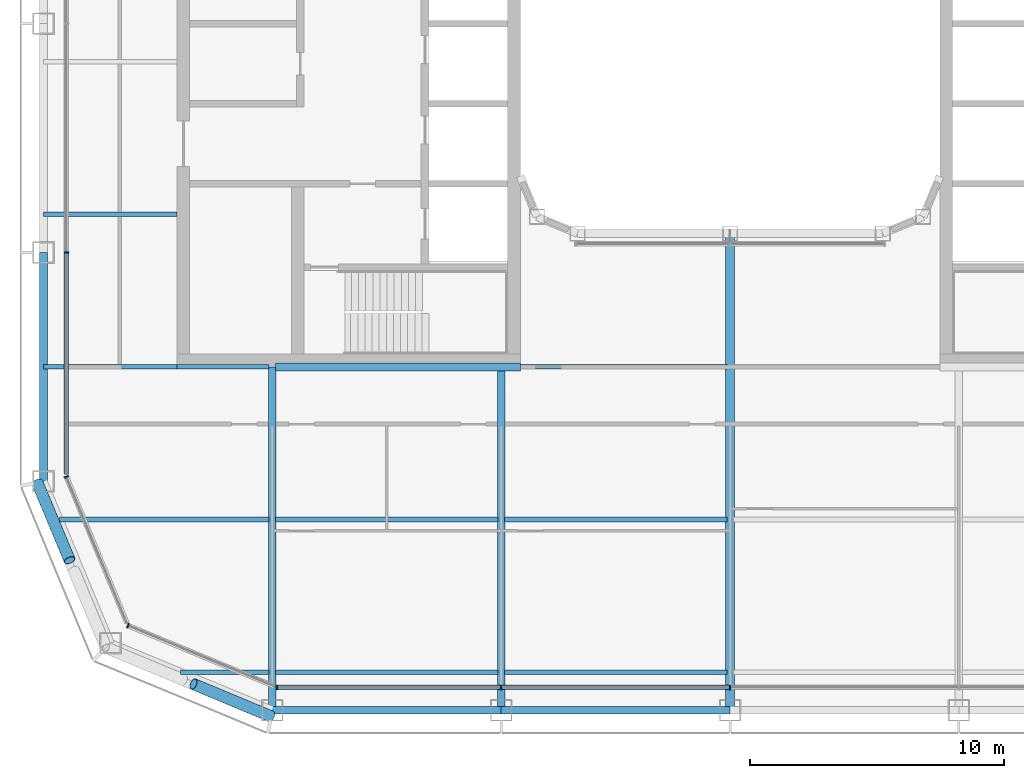
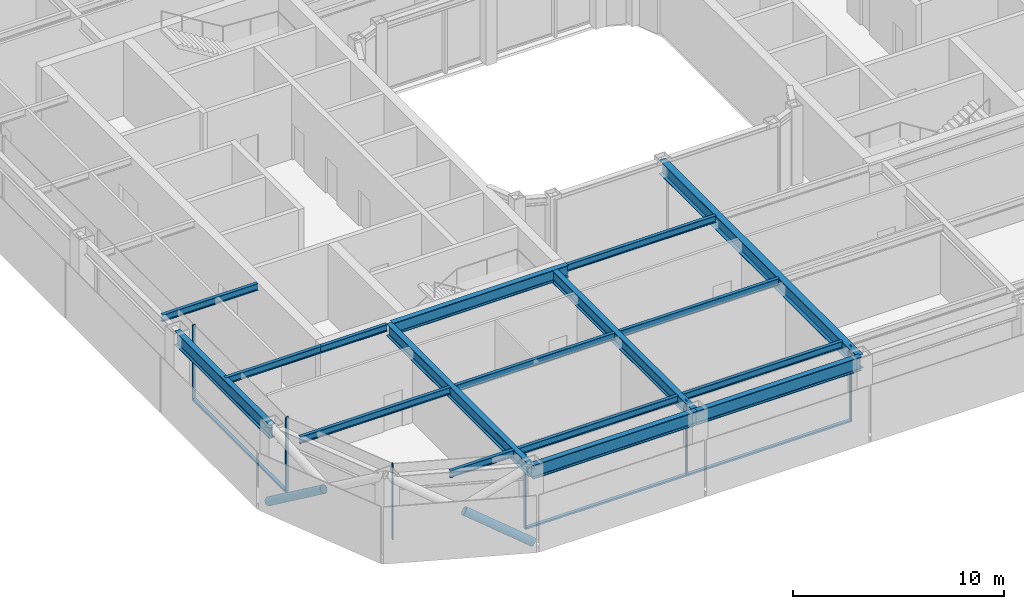
# One storey, part 2 of 19: 17 beams, 11 members, 4 elements without a shape of their own.
"""IFC4 building model written with IfcOpenShell, lengths in metres."""

from ifc_helpers import new_model, si_unit, direction, frame, origin, origin_2d, place, context, subcontext, project, spatial, rectangle, hollow_circle, i_section, extrude, material, layer, layer_set, material_profile, profile_set, type_object, element, aggregate, save


model = new_model("IFC4")

# Units and contexts
model_context = context("Model", 3, precision=1e-05, world=origin(), true_north=direction((0.0, 1.0)))
body_context = subcontext(model_context, "Body", "Model", "MODEL_VIEW")
ifc_project = project(units=[si_unit("LENGTHUNIT", "METRE"), si_unit("AREAUNIT", "SQUARE_METRE"), si_unit("VOLUMEUNIT", "CUBIC_METRE"), si_unit("PLANEANGLEUNIT", "RADIAN"), si_unit("MASSUNIT", "GRAM", prefix="KILO")], contexts=[model_context])

# Site, building, storey
site_placement = place(None, origin())
site = spatial("IfcSite", under=ifc_project, at=site_placement, CompositionType="ELEMENT")
building_placement = place(site_placement, origin())
building = spatial("IfcBuilding", under=site, at=building_placement, Name="Siwar Civic Tower", CompositionType="ELEMENT")
storey_placement = place(building_placement, frame((0.0, 0.0, 228.699951171875)))
storey = spatial("IfcBuildingStorey", under=building, at=storey_placement, Name="L49", CompositionType="ELEMENT", Elevation=228.699951171875)

# Curtain wall, members
ifc_material_1 = material(Name="Aluminium and glass", Category="aluminium")
ifc_layer_1 = layer(ifc_material_1, 0.179931640625)
ifc_layer_set_1 = layer_set([ifc_layer_1], Name="Aluminium and glass")
curtain_wall_type_1 = type_object("IfcCurtainWallType", Name="ENV-CW-C", PredefinedType="NOTDEFINED", material=ifc_layer_set_1)
curtain_wall_1_placement = place(storey_placement, origin())
curtain_wall_1 = element("IfcCurtainWall", 1, at=curtain_wall_1_placement, inside=storey, type_object=curtain_wall_type_1, Name="Curtain wall C S", PredefinedType="NOTDEFINED")
ifc_material_2 = material(Name="Aluminium 6063-T6", Category="aluminium")
ifc_material_profile_1 = material_profile(ifc_material_2, rectangle(XDim=0.179931640625, YDim=0.06005859375, at=origin_2d()), Name="AL 180x60")
ifc_profile_set_1 = profile_set([ifc_material_profile_1], Name="Aluminium 6063-T6")
member_type_1 = type_object("IfcMemberType", Name="ENV-MULLION-C", PredefinedType="MULLION", material=ifc_profile_set_1)
member_1_placement = place(storey_placement, frame((-17.821044921875, -26.10009765625, 0.0), z_axis=(0.0, 0.0, 1.0), x_axis=(0.0, 1.0, 0.0)))
member_1 = element("IfcMember", 2, at=member_1_placement, type_object=member_type_1, Name="Mullion C S 1", PredefinedType="MULLION", context=body_context, shape_type="SweptSolid", body=[
    extrude(rectangle(XDim=0.179931640625, YDim=0.06005859375, at=origin_2d()), origin(), (0.0, 0.0, 1.0), 4.35009765625),
])
member_2_placement = place(storey_placement, frame((-9.0, -26.10009765625, 0.0), z_axis=(0.0, 0.0, 1.0), x_axis=(0.0, 1.0, 0.0)))
member_2 = element("IfcMember", 3, at=member_2_placement, type_object=member_type_1, Name="Mullion C S 2", PredefinedType="MULLION", context=body_context, shape_type="SweptSolid", body=[
    extrude(rectangle(XDim=0.179931640625, YDim=0.06005859375, at=origin_2d()), origin(), (0.0, 0.0, 1.0), 4.35009765625),
])
member_3_placement = place(storey_placement, frame((0.0, -26.10009765625, 0.0), z_axis=(0.0, 0.0, 1.0), x_axis=(0.0, 1.0, 0.0)))
member_3 = element("IfcMember", 4, at=member_3_placement, type_object=member_type_1, Name="Mullion C S 3", PredefinedType="MULLION", context=body_context, shape_type="SweptSolid", body=[
    extrude(rectangle(XDim=0.179931640625, YDim=0.06005859375, at=origin_2d()), origin(), (0.0, 0.0, 1.0), 4.35009765625),
])

# Curtain wall, member
curtain_wall_2_placement = place(storey_placement, origin())
curtain_wall_2 = element("IfcCurtainWall", 5, at=curtain_wall_2_placement, inside=storey, type_object=curtain_wall_type_1, Name="Curtain wall C W", PredefinedType="NOTDEFINED")
member_4_placement = place(storey_placement, frame((-26.10009765625, -9.0, 0.0), z_axis=(0.0, 0.0, 1.0), x_axis=(1.0, 0.0, 0.0)))
member_4 = element("IfcMember", 6, at=member_4_placement, type_object=member_type_1, Name="Mullion C W 4", PredefinedType="MULLION", context=body_context, shape_type="SweptSolid", body=[
    extrude(rectangle(XDim=0.179931640625, YDim=0.06005859375, at=origin_2d()), origin(), (0.0, 0.0, 1.0), 4.35009765625),
])

ifc_material_3 = material(Name="Aluminium clad insulated panel", Category="aluminium")
ifc_layer_2 = layer(ifc_material_3, 0.179931640625)
ifc_layer_set_2 = layer_set([ifc_layer_2], Name="Aluminium clad insulated panel")
curtain_wall_type_2 = type_object("IfcCurtainWallType", Name="ENV-CW-CX", PredefinedType="NOTDEFINED", material=ifc_layer_set_2)
curtain_wall_3_placement = place(storey_placement, origin())
curtain_wall_3 = element("IfcCurtainWall", 7, at=curtain_wall_3_placement, inside=storey, type_object=curtain_wall_type_2, Name="Curtain wall C SW1", PredefinedType="NOTDEFINED")
member_5_placement = place(storey_placement, frame((-26.10009765625, -17.821044921875, 0.0), z_axis=(0.0, 0.0, 1.0), x_axis=(0.923879532511, 0.382683432365, 0.0)))
member_5 = element("IfcMember", 8, at=member_5_placement, type_object=member_type_1, Name="Mullion C SW1 1", PredefinedType="MULLION", context=body_context, shape_type="SweptSolid", body=[
    extrude(rectangle(XDim=0.179931640625, YDim=0.06005859375, at=origin_2d()), origin(), (0.0, 0.0, 1.0), 4.35009765625),
])
aggregate(curtain_wall_3, [member_5])

curtain_wall_4_placement = place(storey_placement, origin())
curtain_wall_4 = element("IfcCurtainWall", 9, at=curtain_wall_4_placement, inside=storey, type_object=curtain_wall_type_2, Name="Curtain wall C SW2", PredefinedType="NOTDEFINED")
member_6_placement = place(storey_placement, frame((-23.675048828125, -23.675048828125, 0.0), z_axis=(0.0, 0.0, 1.0), x_axis=(0.382683432365, 0.923879532511, 0.0)))
member_6 = element("IfcMember", 10, at=member_6_placement, type_object=member_type_1, Name="Mullion C SW2 1", PredefinedType="MULLION", context=body_context, shape_type="SweptSolid", body=[
    extrude(rectangle(XDim=0.179931640625, YDim=0.06005859375, at=origin_2d()), origin(), (0.0, 0.0, 1.0), 4.35009765625),
])
aggregate(curtain_wall_4, [member_6])

# Member
ifc_material_4 = material(Name="Aluminium 6063-T6", Category="aluminium")
ifc_material_profile_2 = material_profile(ifc_material_4, rectangle(XDim=0.179931640625, YDim=0.10009765625, at=origin_2d()), Name="AL 180x100")
ifc_profile_set_2 = profile_set([ifc_material_profile_2], Name="Aluminium 6063-T6")
member_type_2 = type_object("IfcMemberType", Name="ENV-TRANSOM-C", PredefinedType="USERDEFINED", material=ifc_profile_set_2)
member_7_placement = place(storey_placement, frame((-17.791015625, -26.10009765625, 0.050048828125), z_axis=(1.0, 0.0, 0.0), x_axis=(0.0, 1.0, 0.0)))
member_7 = element("IfcMember", 11, at=member_7_placement, type_object=member_type_2, Name="Transom C S 1", ObjectType="TRANSOM", PredefinedType="USERDEFINED", context=body_context, shape_type="SweptSolid", body=[
    extrude(rectangle(XDim=0.179931640625, YDim=0.10009765625, at=origin_2d()), origin(), (0.0, 0.0, 1.0), 8.760986328125),
])

member_8_placement = place(storey_placement, frame((-8.969970703125, -26.10009765625, 0.050048828125), z_axis=(1.0, 0.0, 0.0), x_axis=(0.0, 1.0, 0.0)))
member_8 = element("IfcMember", 12, at=member_8_placement, type_object=member_type_2, Name="Transom C S 2", ObjectType="TRANSOM", PredefinedType="USERDEFINED", context=body_context, shape_type="SweptSolid", body=[
    extrude(rectangle(XDim=0.179931640625, YDim=0.10009765625, at=origin_2d()), origin(), (0.0, 0.0, 1.0), 8.93994140625),
])

aggregate(curtain_wall_1, [member_1, member_2, member_3, member_7, member_8])

member_9_placement = place(storey_placement, frame((-26.10009765625, -9.030029296875, 0.050048828125), z_axis=(0.0, -1.0, 0.0), x_axis=(1.0, 0.0, 0.0)))
member_9 = element("IfcMember", 13, at=member_9_placement, type_object=member_type_2, Name="Transom C W 4", ObjectType="TRANSOM", PredefinedType="USERDEFINED", context=body_context, shape_type="SweptSolid", body=[
    extrude(rectangle(XDim=0.179931640625, YDim=0.10009765625, at=origin_2d()), origin(), (0.0, 0.0, 1.0), 8.68603515625),
])

aggregate(curtain_wall_2, [member_4, member_9])

# Members
ifc_material_5 = material(Name="Steel S355", Category="steel")
ifc_material_profile_3 = material_profile(ifc_material_5, hollow_circle(Radius=0.228515625, WallThickness=0.02001953125, at=origin_2d()), Name="CHS457x20")
ifc_profile_set_3 = profile_set([ifc_material_profile_3], Name="Steel S355")
member_type_3 = type_object("IfcMemberType", Name="STR-BR-CHS457x20", PredefinedType="BRACE", material=ifc_profile_set_3)
for number, where, z_axis, x_axis, name in (
    (14, (-18.048828125, -27.2451171875, 0.0), (-0.777546448489, 0.323884455881, 0.538999424564), (-0.38452107079, -0.92311621485, 0.0), "L49/brc/CSW1-9-0-2"),
    (15, (-27.2451171875, -18.048828125, 0.0), (0.323884455881, -0.777546448489, 0.538999424564), (0.92311621485, 0.38452107079, 0.0), "L49/brc/CSW1-9-0-4"),
):
    element("IfcMember", number, at=place(storey_placement, frame(where, z_axis=z_axis, x_axis=x_axis)), inside=storey, type_object=member_type_3, Name=name, PredefinedType="BRACE", context=body_context, shape_type="SweptSolid", body=[
        extrude(hollow_circle(Radius=0.228515625, WallThickness=0.02001953125, at=origin_2d()), origin(), (0.0, 0.0, 1.0), 3.927978515625),
    ])

# Beams
ifc_material_6 = material(Name="Steel S355", Category="steel")
ifc_material_profile_4 = material_profile(ifc_material_6, i_section(OverallWidth=0.179931640625, OverallDepth=0.39990234375, WebThickness=0.008544921875, FlangeThickness=0.013427734375, FilletRadius=0.02099609375, at=origin_2d()), Name="IPE400")
ifc_profile_set_4 = profile_set([ifc_material_profile_4], Name="Steel S355")
beam_type_1 = type_object("IfcBeamType", Name="STR-FB-IPE400", PredefinedType="JOIST", material=ifc_profile_set_4)
beam_1_placement = place(storey_placement, frame((-21.621337890625, -25.5, 4.150146484375), z_axis=(1.0, 0.0, 0.0), x_axis=(0.0, 1.0, 0.0)))
element("IfcBeam", 16, at=beam_1_placement, inside=storey, type_object=beam_type_1, Name="L49/bm/F001", PredefinedType="JOIST", context=body_context, shape_type="SweptSolid", body=[
    extrude(i_section(OverallWidth=0.179931640625, OverallDepth=0.39990234375, WebThickness=0.008544921875, FlangeThickness=0.013427734375, FilletRadius=0.02099609375, at=origin_2d()), origin(), (0.0, 0.0, 1.0), 3.491455078125),
])
for number, where, z_axis, x_axis, name in (
    (17, (-17.8701171875, -25.5, 4.150146484375), (1.0, 0.0, 0.0), (0.0, 1.0, 0.0), "L49/bm/F002"),
    (18, (-8.8701171875, -25.5, 4.150146484375), (1.0, 0.0, 0.0), (0.0, 1.0, 0.0), "L49/bm/F003"),
):
    element("IfcBeam", number, at=place(storey_placement, frame(where, z_axis=z_axis, x_axis=x_axis)), inside=storey, type_object=beam_type_1, Name=name, PredefinedType="JOIST", context=body_context, shape_type="SweptSolid", body=[
        extrude(i_section(OverallWidth=0.179931640625, OverallDepth=0.39990234375, WebThickness=0.008544921875, FlangeThickness=0.013427734375, FilletRadius=0.02099609375, at=origin_2d()), origin(), (0.0, 0.0, 1.0), 8.740234375),
    ])
beam_2_placement = place(storey_placement, frame((-26.378662109375, -19.5, 4.150146484375), z_axis=(1.0, 0.0, 0.0), x_axis=(0.0, 1.0, 0.0)))
element("IfcBeam", 19, at=beam_2_placement, inside=storey, type_object=beam_type_1, Name="L49/bm/F007", PredefinedType="JOIST", context=body_context, shape_type="SweptSolid", body=[
    extrude(i_section(OverallWidth=0.179931640625, OverallDepth=0.39990234375, WebThickness=0.008544921875, FlangeThickness=0.013427734375, FilletRadius=0.02099609375, at=origin_2d()), origin(), (0.0, 0.0, 1.0), 8.248779296875),
])
for number, where, z_axis, x_axis, name in (
    (20, (-17.8701171875, -19.5, 4.150146484375), (1.0, 0.0, 0.0), (0.0, 1.0, 0.0), "L49/bm/F008"),
    (21, (-8.8701171875, -19.5, 4.150146484375), (1.0, 0.0, 0.0), (0.0, 1.0, 0.0), "L49/bm/F009"),
):
    element("IfcBeam", number, at=place(storey_placement, frame(where, z_axis=z_axis, x_axis=x_axis)), inside=storey, type_object=beam_type_1, Name=name, PredefinedType="JOIST", context=body_context, shape_type="SweptSolid", body=[
        extrude(i_section(OverallWidth=0.179931640625, OverallDepth=0.39990234375, WebThickness=0.008544921875, FlangeThickness=0.013427734375, FilletRadius=0.02099609375, at=origin_2d()), origin(), (0.0, 0.0, 1.0), 8.740234375),
    ])
beam_3_placement = place(storey_placement, frame((-27.0, -13.5, 4.150146484375), z_axis=(1.0, 0.0, 0.0), x_axis=(0.0, 1.0, 0.0)))
element("IfcBeam", 22, at=beam_3_placement, inside=storey, type_object=beam_type_1, Name="L49/bm/F013", PredefinedType="JOIST", context=body_context, shape_type="SweptSolid", body=[
    extrude(i_section(OverallWidth=0.179931640625, OverallDepth=0.39990234375, WebThickness=0.008544921875, FlangeThickness=0.013427734375, FilletRadius=0.02099609375, at=origin_2d()), origin(), (0.0, 0.0, 1.0), 5.25),
])
beam_4_placement = place(storey_placement, frame((-21.75, -13.5, 4.150146484375), z_axis=(1.0, 0.0, 0.0), x_axis=(0.0, 1.0, 0.0)))
element("IfcBeam", 23, at=beam_4_placement, inside=storey, type_object=beam_type_1, Name="L49/bm/F014", PredefinedType="JOIST", context=body_context, shape_type="SweptSolid", body=[
    extrude(i_section(OverallWidth=0.179931640625, OverallDepth=0.39990234375, WebThickness=0.008544921875, FlangeThickness=0.013427734375, FilletRadius=0.02099609375, at=origin_2d()), origin(), (0.0, 0.0, 1.0), 3.6201171875),
])
beam_5_placement = place(storey_placement, frame((-8.25, -13.5, 4.150146484375), z_axis=(1.0, 0.0, 0.0), x_axis=(0.0, 1.0, 0.0)))
element("IfcBeam", 24, at=beam_5_placement, inside=storey, type_object=beam_type_1, Name="L49/bm/F016", PredefinedType="JOIST", context=body_context, shape_type="SweptSolid", body=[
    extrude(i_section(OverallWidth=0.179931640625, OverallDepth=0.39990234375, WebThickness=0.008544921875, FlangeThickness=0.013427734375, FilletRadius=0.02099609375, at=origin_2d()), origin(), (0.0, 0.0, 1.0), 8.1201171875),
])
beam_6_placement = place(storey_placement, frame((-27.0, -7.5, 4.150146484375), z_axis=(1.0, 0.0, 0.0), x_axis=(0.0, 1.0, 0.0)))
element("IfcBeam", 25, at=beam_6_placement, inside=storey, type_object=beam_type_1, Name="L49/bm/F021", PredefinedType="JOIST", context=body_context, shape_type="SweptSolid", body=[
    extrude(i_section(OverallWidth=0.179931640625, OverallDepth=0.39990234375, WebThickness=0.008544921875, FlangeThickness=0.013427734375, FilletRadius=0.02099609375, at=origin_2d()), origin(), (0.0, 0.0, 1.0), 5.25),
])
ifc_material_7 = material(Name="Steel S355", Category="steel")
ifc_material_profile_5 = material_profile(ifc_material_7, i_section(OverallWidth=0.300048828125, OverallDepth=0.699951171875, WebThickness=0.01708984375, FlangeThickness=0.031982421875, FilletRadius=0.027099609375, at=origin_2d()), Name="HEB700")
ifc_profile_set_5 = profile_set([ifc_material_profile_5], Name="Steel S355")
beam_type_2 = type_object("IfcBeamType", Name="STR-PG-HEB700", PredefinedType="BEAM", material=ifc_profile_set_5)
for number, where, z_axis, x_axis, name in (
    (26, (-18.0, -27.0, 4.0), (0.0, 1.0, 0.0), (-1.0, 0.0, 0.0), "L49/bm/G01"),
    (27, (-9.0, -27.0, 4.0), (0.0, 1.0, 0.0), (-1.0, 0.0, 0.0), "L49/bm/G03"),
):
    element("IfcBeam", number, at=place(storey_placement, frame(where, z_axis=z_axis, x_axis=x_axis)), inside=storey, type_object=beam_type_2, Name=name, PredefinedType="BEAM", context=body_context, shape_type="SweptSolid", body=[
        extrude(i_section(OverallWidth=0.300048828125, OverallDepth=0.699951171875, WebThickness=0.01708984375, FlangeThickness=0.031982421875, FilletRadius=0.027099609375, at=origin_2d()), origin(), (0.0, 0.0, 1.0), 13.5),
    ])
beam_7_placement = place(storey_placement, frame((-17.8701171875, -13.5, 4.0), z_axis=(1.0, 0.0, 0.0), x_axis=(0.0, 1.0, 0.0)))
element("IfcBeam", 28, at=beam_7_placement, inside=storey, type_object=beam_type_2, Name="L49/bm/F015", PredefinedType="BEAM", context=body_context, shape_type="SweptSolid", body=[
    extrude(i_section(OverallWidth=0.300048828125, OverallDepth=0.699951171875, WebThickness=0.01708984375, FlangeThickness=0.031982421875, FilletRadius=0.027099609375, at=origin_2d()), origin(), (0.0, 0.0, 1.0), 9.6201171875),
])
ifc_material_8 = material(Name="Steel S355", Category="steel")
ifc_material_profile_6 = material_profile(ifc_material_8, i_section(OverallWidth=0.360107421875, OverallDepth=0.800048828125, WebThickness=0.013916015625, FlangeThickness=0.031982421875, at=origin_2d()), Name="PG800x360x14x32")
ifc_profile_set_6 = profile_set([ifc_material_profile_6], Name="Steel S355")
beam_type_3 = type_object("IfcBeamType", Name="STR-PG-PG800x360x14x32", PredefinedType="BEAM", material=ifc_profile_set_6)
beam_8_placement = place(storey_placement, frame((0.0, -27.0, 3.949951171875), z_axis=(0.0, 1.0, 0.0), x_axis=(-1.0, 0.0, 0.0)))
element("IfcBeam", 29, at=beam_8_placement, inside=storey, type_object=beam_type_3, Name="L49/bm/G05", PredefinedType="BEAM", context=body_context, shape_type="SweptSolid", body=[
    extrude(i_section(OverallWidth=0.360107421875, OverallDepth=0.800048828125, WebThickness=0.013916015625, FlangeThickness=0.031982421875, at=origin_2d()), origin(), (0.0, 0.0, 1.0), 18.75),
])
ifc_material_9 = material(Name="Steel S355", Category="steel")
ifc_material_profile_7 = material_profile(ifc_material_9, i_section(OverallWidth=0.300048828125, OverallDepth=0.800048828125, WebThickness=0.017578125, FlangeThickness=0.032958984375, FilletRadius=0.030029296875, at=origin_2d()), Name="HEB800")
ifc_profile_set_7 = profile_set([ifc_material_profile_7], Name="Steel S355")
beam_type_4 = type_object("IfcBeamType", Name="STR-SB-HEB800", PredefinedType="BEAM", material=ifc_profile_set_7)
for number, where, z_axis, x_axis, name in (
    (30, (-18.0, -27.0, 3.949951171875), (1.0, 0.0, 0.0), (0.0, 1.0, 0.0), "L49/bm/SS-0"),
    (31, (-9.0, -27.0, 3.949951171875), (1.0, 0.0, 0.0), (0.0, 1.0, 0.0), "L49/bm/SS-1"),
    (32, (-27.0, -9.0, 3.949951171875), (0.0, -1.0, 0.0), (1.0, 0.0, 0.0), "L49/bm/SW-3"),
):
    element("IfcBeam", number, at=place(storey_placement, frame(where, z_axis=z_axis, x_axis=x_axis)), inside=storey, type_object=beam_type_4, Name=name, PredefinedType="BEAM", context=body_context, shape_type="SweptSolid", body=[
        extrude(i_section(OverallWidth=0.300048828125, OverallDepth=0.800048828125, WebThickness=0.017578125, FlangeThickness=0.032958984375, FilletRadius=0.030029296875, at=origin_2d()), origin(), (0.0, 0.0, 1.0), 9.0),
    ])

save(model, "model.ifc")
